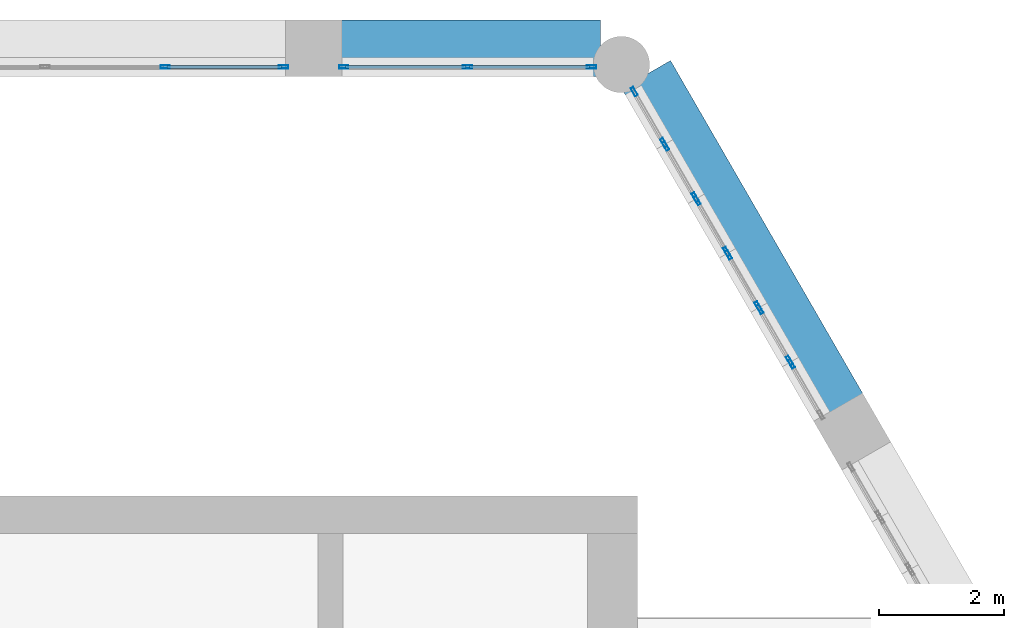
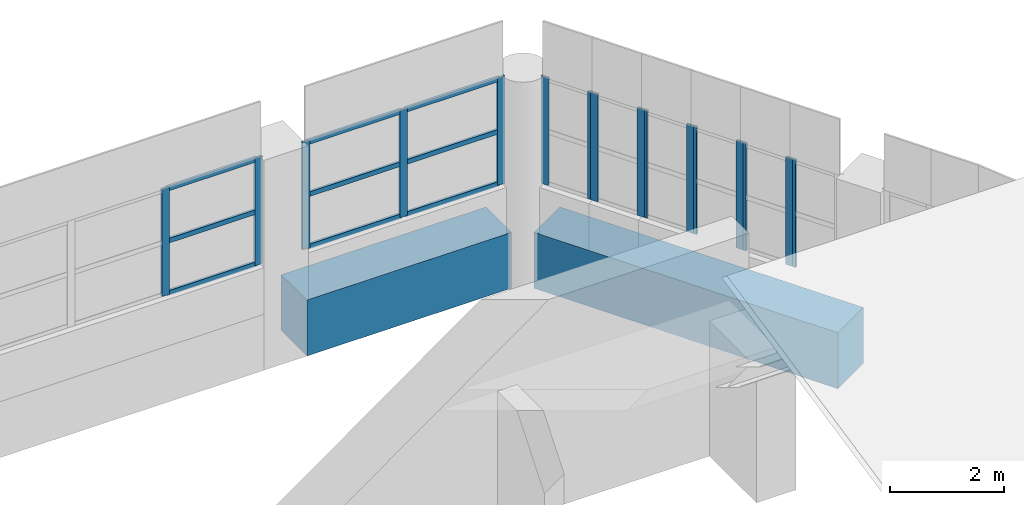
# One storey, part 7 of 11: 25 members, 2 beams, 8 elements without a shape of their own.
"""IFC4 building model written with IfcOpenShell, lengths in metres."""

from ifc_helpers import new_model, si_unit, direction, frame, origin, origin_2d, place, context, subcontext, project, spatial, rectangle, hollow_rectangle, extrude, material, material_profile, profile_set, type_object, element, aggregate, save


model = new_model("IFC4")

# Units and contexts
model_context = context("Model", 3, precision=1e-05, world=origin(), true_north=direction((0.0, 1.0)))
body_context = subcontext(model_context, "Body", "Model", "MODEL_VIEW")
ifc_project = project(units=[si_unit("LENGTHUNIT", "METRE"), si_unit("AREAUNIT", "SQUARE_METRE"), si_unit("VOLUMEUNIT", "CUBIC_METRE"), si_unit("PLANEANGLEUNIT", "RADIAN"), si_unit("MASSUNIT", "GRAM", prefix="KILO")], contexts=[model_context])

# Site, building, storey
site_placement = place(None, origin())
site = spatial("IfcSite", under=ifc_project, at=site_placement, CompositionType="ELEMENT")
building_placement = place(site_placement, origin())
building = spatial("IfcBuilding", under=site, at=building_placement, Name="Ostrander Bayou Hotel Tower", CompositionType="ELEMENT")
storey_placement = place(building_placement, frame((0.0, 0.0, 293.0)))
storey = spatial("IfcBuildingStorey", under=building, at=storey_placement, Name="Roof 72", CompositionType="ELEMENT", Elevation=293.0)

# Curtain wall, members
ifc_material_1 = material(Name="Aluminium and clear glass", Category="aluminium")
curtain_wall_type = type_object("IfcCurtainWallType", Name="CW-CROWN glazed wall", PredefinedType="NOTDEFINED", material=ifc_material_1)
curtain_wall_1_placement = place(storey_placement, origin())
curtain_wall_1 = element("IfcCurtainWall", 1, at=curtain_wall_1_placement, inside=storey, type_object=curtain_wall_type, Name="CW-CROWN L72:N-1", PredefinedType="NOTDEFINED")
ifc_material_2 = material(Name="Aluminium", Category="aluminium")
ifc_material_profile_1 = material_profile(ifc_material_2, hollow_rectangle(XDim=0.050048828125, YDim=0.14990234375, WallThickness=0.00390625, at=origin_2d()))
ifc_profile_set_1 = profile_set([ifc_material_profile_1], Name="Aluminium")
member_type_1 = type_object("IfcMemberType", Name="CW-CR mullion 50 x 150 mm", PredefinedType="MULLION", material=ifc_profile_set_1)
member_1_placement = place(storey_placement, frame((7.765869140625, 16.550048828125, 1.0), z_axis=(0.0, 0.0, 1.0), x_axis=(0.0, -1.0, 0.0)))
member_1 = element("IfcMember", 2, at=member_1_placement, type_object=member_type_1, Name="CW-CROWN mullion 1", PredefinedType="MULLION", context=body_context, shape_type="SweptSolid", body=[
    extrude(hollow_rectangle(XDim=0.050048828125, YDim=0.14990234375, WallThickness=0.00390625, at=origin_2d()), origin(), (0.0, 0.0, 1.0), 2.300048828125),
])
member_2_placement = place(storey_placement, frame((5.78759765625, 16.550048828125, 1.0), z_axis=(0.0, 0.0, 1.0), x_axis=(0.0, -1.0, 0.0)))
member_2 = element("IfcMember", 3, at=member_2_placement, type_object=member_type_1, Name="CW-CROWN mullion 2", PredefinedType="MULLION", context=body_context, shape_type="SweptSolid", body=[
    extrude(hollow_rectangle(XDim=0.050048828125, YDim=0.14990234375, WallThickness=0.00390625, at=origin_2d()), origin(), (0.0, 0.0, 1.0), 2.300048828125),
])
member_3_placement = place(storey_placement, frame((3.809326171875, 16.550048828125, 1.0), z_axis=(0.0, 0.0, 1.0), x_axis=(0.0, -1.0, 0.0)))
member_3 = element("IfcMember", 4, at=member_3_placement, type_object=member_type_1, Name="CW-CROWN mullion 3", PredefinedType="MULLION", context=body_context, shape_type="SweptSolid", body=[
    extrude(hollow_rectangle(XDim=0.050048828125, YDim=0.14990234375, WallThickness=0.00390625, at=origin_2d()), origin(), (0.0, 0.0, 1.0), 2.300048828125),
])

curtain_wall_2_placement = place(storey_placement, origin())
curtain_wall_2 = element("IfcCurtainWall", 5, at=curtain_wall_2_placement, inside=storey, type_object=curtain_wall_type, Name="CW-CROWN L72:N-2", PredefinedType="NOTDEFINED")
member_4_placement = place(storey_placement, frame((2.849365234375, 16.550048828125, 1.0), z_axis=(0.0, 0.0, 1.0), x_axis=(0.0, -1.0, 0.0)))
member_4 = element("IfcMember", 6, at=member_4_placement, type_object=member_type_1, Name="CW-CROWN mullion 1", PredefinedType="MULLION", context=body_context, shape_type="SweptSolid", body=[
    extrude(hollow_rectangle(XDim=0.050048828125, YDim=0.14990234375, WallThickness=0.00390625, at=origin_2d()), origin(), (0.0, 0.0, 1.0), 2.300048828125),
])
member_5_placement = place(storey_placement, frame((0.959716796875, 16.550048828125, 1.0), z_axis=(0.0, 0.0, 1.0), x_axis=(0.0, -1.0, 0.0)))
member_5 = element("IfcMember", 7, at=member_5_placement, type_object=member_type_1, Name="CW-CROWN mullion 2", PredefinedType="MULLION", context=body_context, shape_type="SweptSolid", body=[
    extrude(hollow_rectangle(XDim=0.050048828125, YDim=0.14990234375, WallThickness=0.00390625, at=origin_2d()), origin(), (0.0, 0.0, 1.0), 2.300048828125),
])

# Curtain wall, member
curtain_wall_3_placement = place(storey_placement, origin())
curtain_wall_3 = element("IfcCurtainWall", 8, at=curtain_wall_3_placement, inside=storey, type_object=curtain_wall_type, Name="CW-CROWN L72:NE-3-1", PredefinedType="NOTDEFINED")
member_6_placement = place(storey_placement, frame((10.954833984375, 11.8125, 1.0), z_axis=(0.0, 0.0, 1.0), x_axis=(-0.866026229865, -0.499998569184, 0.0)))
member_6 = element("IfcMember", 9, at=member_6_placement, type_object=member_type_1, Name="CW-CROWN mullion 2", PredefinedType="MULLION", context=body_context, shape_type="SweptSolid", body=[
    extrude(hollow_rectangle(XDim=0.050048828125, YDim=0.14990234375, WallThickness=0.00390625, at=origin_2d()), origin(), (0.0, 0.0, 1.0), 2.300048828125),
])
aggregate(curtain_wall_3, [member_6])

# Curtain wall, members
curtain_wall_4_placement = place(storey_placement, origin())
curtain_wall_4 = element("IfcCurtainWall", 10, at=curtain_wall_4_placement, inside=storey, type_object=curtain_wall_type, Name="CW-CROWN L72:NE-3-2", PredefinedType="NOTDEFINED")
member_7_placement = place(storey_placement, frame((10.9248046875, 11.864501953125, 1.0), z_axis=(0.0, 0.0, 1.0), x_axis=(-0.866001306597, -0.50004173523, 0.0)))
member_7 = element("IfcMember", 11, at=member_7_placement, type_object=member_type_1, Name="CW-CROWN mullion 1", PredefinedType="MULLION", context=body_context, shape_type="SweptSolid", body=[
    extrude(hollow_rectangle(XDim=0.050048828125, YDim=0.14990234375, WallThickness=0.00390625, at=origin_2d()), origin(), (0.0, 0.0, 1.0), 2.300048828125),
])
member_8_placement = place(storey_placement, frame((10.453369140625, 12.681396484375, 1.0), z_axis=(0.0, 0.0, 1.0), x_axis=(-0.866001306597, -0.50004173523, 0.0)))
member_8 = element("IfcMember", 12, at=member_8_placement, type_object=member_type_1, Name="CW-CROWN mullion 2", PredefinedType="MULLION", context=body_context, shape_type="SweptSolid", body=[
    extrude(hollow_rectangle(XDim=0.050048828125, YDim=0.14990234375, WallThickness=0.00390625, at=origin_2d()), origin(), (0.0, 0.0, 1.0), 2.300048828125),
])
aggregate(curtain_wall_4, [member_7, member_8])

curtain_wall_5_placement = place(storey_placement, origin())
curtain_wall_5 = element("IfcCurtainWall", 13, at=curtain_wall_5_placement, inside=storey, type_object=curtain_wall_type, Name="CW-CROWN L72:NE-3-3", PredefinedType="NOTDEFINED")
member_9_placement = place(storey_placement, frame((10.42333984375, 12.7333984375, 1.0), z_axis=(0.0, 0.0, 1.0), x_axis=(-0.866069391736, -0.499923802893, 0.0)))
member_9 = element("IfcMember", 14, at=member_9_placement, type_object=member_type_1, Name="CW-CROWN mullion 1", PredefinedType="MULLION", context=body_context, shape_type="SweptSolid", body=[
    extrude(hollow_rectangle(XDim=0.050048828125, YDim=0.14990234375, WallThickness=0.00390625, at=origin_2d()), origin(), (0.0, 0.0, 1.0), 2.300048828125),
])
member_10_placement = place(storey_placement, frame((9.951904296875, 13.550048828125, 1.0), z_axis=(0.0, 0.0, 1.0), x_axis=(-0.866069391736, -0.499923802893, 0.0)))
member_10 = element("IfcMember", 15, at=member_10_placement, type_object=member_type_1, Name="CW-CROWN mullion 2", PredefinedType="MULLION", context=body_context, shape_type="SweptSolid", body=[
    extrude(hollow_rectangle(XDim=0.050048828125, YDim=0.14990234375, WallThickness=0.00390625, at=origin_2d()), origin(), (0.0, 0.0, 1.0), 2.300048828125),
])
aggregate(curtain_wall_5, [member_9, member_10])

curtain_wall_6_placement = place(storey_placement, origin())
curtain_wall_6 = element("IfcCurtainWall", 16, at=curtain_wall_6_placement, inside=storey, type_object=curtain_wall_type, Name="CW-CROWN L72:NE-3-4", PredefinedType="NOTDEFINED")
member_11_placement = place(storey_placement, frame((9.921875, 13.60205078125, 1.0), z_axis=(0.0, 0.0, 1.0), x_axis=(-0.866026229865, -0.499998569184, 0.0)))
member_11 = element("IfcMember", 17, at=member_11_placement, type_object=member_type_1, Name="CW-CROWN mullion 1", PredefinedType="MULLION", context=body_context, shape_type="SweptSolid", body=[
    extrude(hollow_rectangle(XDim=0.050048828125, YDim=0.14990234375, WallThickness=0.00390625, at=origin_2d()), origin(), (0.0, 0.0, 1.0), 2.300048828125),
])
member_12_placement = place(storey_placement, frame((9.4501953125, 14.4189453125, 1.0), z_axis=(0.0, 0.0, 1.0), x_axis=(-0.866026229865, -0.499998569184, 0.0)))
member_12 = element("IfcMember", 18, at=member_12_placement, type_object=member_type_1, Name="CW-CROWN mullion 2", PredefinedType="MULLION", context=body_context, shape_type="SweptSolid", body=[
    extrude(hollow_rectangle(XDim=0.050048828125, YDim=0.14990234375, WallThickness=0.00390625, at=origin_2d()), origin(), (0.0, 0.0, 1.0), 2.300048828125),
])
aggregate(curtain_wall_6, [member_11, member_12])

curtain_wall_7_placement = place(storey_placement, origin())
curtain_wall_7 = element("IfcCurtainWall", 19, at=curtain_wall_7_placement, inside=storey, type_object=curtain_wall_type, Name="CW-CROWN L72:NE-3-5", PredefinedType="NOTDEFINED")
member_13_placement = place(storey_placement, frame((9.420166015625, 14.470947265625, 1.0), z_axis=(0.0, 0.0, 1.0), x_axis=(-0.866001306597, -0.50004173523, 0.0)))
member_13 = element("IfcMember", 20, at=member_13_placement, type_object=member_type_1, Name="CW-CROWN mullion 1", PredefinedType="MULLION", context=body_context, shape_type="SweptSolid", body=[
    extrude(hollow_rectangle(XDim=0.050048828125, YDim=0.14990234375, WallThickness=0.00390625, at=origin_2d()), origin(), (0.0, 0.0, 1.0), 2.300048828125),
])
member_14_placement = place(storey_placement, frame((8.948486328125, 15.28759765625, 1.0), z_axis=(0.0, 0.0, 1.0), x_axis=(-0.866001306597, -0.50004173523, 0.0)))
member_14 = element("IfcMember", 21, at=member_14_placement, type_object=member_type_1, Name="CW-CROWN mullion 2", PredefinedType="MULLION", context=body_context, shape_type="SweptSolid", body=[
    extrude(hollow_rectangle(XDim=0.050048828125, YDim=0.14990234375, WallThickness=0.00390625, at=origin_2d()), origin(), (0.0, 0.0, 1.0), 2.300048828125),
])
aggregate(curtain_wall_7, [member_13, member_14])

curtain_wall_8_placement = place(storey_placement, origin())
curtain_wall_8 = element("IfcCurtainWall", 22, at=curtain_wall_8_placement, inside=storey, type_object=curtain_wall_type, Name="CW-CROWN L72:NE-3-6", PredefinedType="NOTDEFINED")
member_15_placement = place(storey_placement, frame((8.918701171875, 15.339599609375, 1.0), z_axis=(0.0, 0.0, 1.0), x_axis=(-0.866026229865, -0.499998569184, 0.0)))
member_15 = element("IfcMember", 23, at=member_15_placement, type_object=member_type_1, Name="CW-CROWN mullion 1", PredefinedType="MULLION", context=body_context, shape_type="SweptSolid", body=[
    extrude(hollow_rectangle(XDim=0.050048828125, YDim=0.14990234375, WallThickness=0.00390625, at=origin_2d()), origin(), (0.0, 0.0, 1.0), 2.300048828125),
])
member_16_placement = place(storey_placement, frame((8.447021484375, 16.156494140625, 1.0), z_axis=(0.0, 0.0, 1.0), x_axis=(-0.866026229865, -0.499998569184, 0.0)))
member_16 = element("IfcMember", 24, at=member_16_placement, type_object=member_type_1, Name="CW-CROWN mullion 2", PredefinedType="MULLION", context=body_context, shape_type="SweptSolid", body=[
    extrude(hollow_rectangle(XDim=0.050048828125, YDim=0.14990234375, WallThickness=0.00390625, at=origin_2d()), origin(), (0.0, 0.0, 1.0), 2.300048828125),
])
aggregate(curtain_wall_8, [member_15, member_16])

# Member
ifc_material_3 = material(Name="Aluminium", Category="aluminium")
ifc_material_profile_2 = material_profile(ifc_material_3, hollow_rectangle(XDim=0.050048828125, YDim=0.10009765625, WallThickness=0.00390625, at=origin_2d()))
ifc_profile_set_2 = profile_set([ifc_material_profile_2], Name="Aluminium")
member_type_2 = type_object("IfcMemberType", Name="CW-CR transom 50 x 100 mm", PredefinedType="USERDEFINED", material=ifc_profile_set_2)
member_17_placement = place(storey_placement, frame((7.73583984375, 16.550048828125, 1.030029296875), z_axis=(-1.0, 0.0, 0.0), x_axis=(0.0, -1.0, 0.0)))
member_17 = element("IfcMember", 25, at=member_17_placement, type_object=member_type_2, Name="CW-CROWN transom 1.1", ObjectType="TRANSOM", PredefinedType="USERDEFINED", context=body_context, shape_type="SweptSolid", body=[
    extrude(hollow_rectangle(XDim=0.050048828125, YDim=0.10009765625, WallThickness=0.00390625, at=origin_2d()), origin(), (0.0, 0.0, 1.0), 1.918212890625),
])

member_18_placement = place(storey_placement, frame((7.73583984375, 16.550048828125, 2.14990234375), z_axis=(-1.0, 0.0, 0.0), x_axis=(0.0, -1.0, 0.0)))
member_18 = element("IfcMember", 26, at=member_18_placement, type_object=member_type_2, Name="CW-CROWN transom 1.2", ObjectType="TRANSOM", PredefinedType="USERDEFINED", context=body_context, shape_type="SweptSolid", body=[
    extrude(hollow_rectangle(XDim=0.050048828125, YDim=0.10009765625, WallThickness=0.00390625, at=origin_2d()), origin(), (0.0, 0.0, 1.0), 1.918212890625),
])

member_19_placement = place(storey_placement, frame((7.73583984375, 16.550048828125, 3.27001953125), z_axis=(-1.0, 0.0, 0.0), x_axis=(0.0, -1.0, 0.0)))
member_19 = element("IfcMember", 27, at=member_19_placement, type_object=member_type_2, Name="CW-CROWN transom 1.3", ObjectType="TRANSOM", PredefinedType="USERDEFINED", context=body_context, shape_type="SweptSolid", body=[
    extrude(hollow_rectangle(XDim=0.050048828125, YDim=0.10009765625, WallThickness=0.00390625, at=origin_2d()), origin(), (0.0, 0.0, 1.0), 1.918212890625),
])

member_20_placement = place(storey_placement, frame((5.757568359375, 16.550048828125, 1.030029296875), z_axis=(-1.0, 0.0, 0.0), x_axis=(0.0, -1.0, 0.0)))
member_20 = element("IfcMember", 28, at=member_20_placement, type_object=member_type_2, Name="CW-CROWN transom 2.1", ObjectType="TRANSOM", PredefinedType="USERDEFINED", context=body_context, shape_type="SweptSolid", body=[
    extrude(hollow_rectangle(XDim=0.050048828125, YDim=0.10009765625, WallThickness=0.00390625, at=origin_2d()), origin(), (0.0, 0.0, 1.0), 1.918212890625),
])

member_21_placement = place(storey_placement, frame((5.757568359375, 16.550048828125, 2.14990234375), z_axis=(-1.0, 0.0, 0.0), x_axis=(0.0, -1.0, 0.0)))
member_21 = element("IfcMember", 29, at=member_21_placement, type_object=member_type_2, Name="CW-CROWN transom 2.2", ObjectType="TRANSOM", PredefinedType="USERDEFINED", context=body_context, shape_type="SweptSolid", body=[
    extrude(hollow_rectangle(XDim=0.050048828125, YDim=0.10009765625, WallThickness=0.00390625, at=origin_2d()), origin(), (0.0, 0.0, 1.0), 1.918212890625),
])

member_22_placement = place(storey_placement, frame((5.757568359375, 16.550048828125, 3.27001953125), z_axis=(-1.0, 0.0, 0.0), x_axis=(0.0, -1.0, 0.0)))
member_22 = element("IfcMember", 30, at=member_22_placement, type_object=member_type_2, Name="CW-CROWN transom 2.3", ObjectType="TRANSOM", PredefinedType="USERDEFINED", context=body_context, shape_type="SweptSolid", body=[
    extrude(hollow_rectangle(XDim=0.050048828125, YDim=0.10009765625, WallThickness=0.00390625, at=origin_2d()), origin(), (0.0, 0.0, 1.0), 1.918212890625),
])

aggregate(curtain_wall_1, [member_1, member_2, member_3, member_17, member_18, member_19, member_20, member_21, member_22])

member_23_placement = place(storey_placement, frame((2.8193359375, 16.550048828125, 1.030029296875), z_axis=(-1.0, 0.0, 0.0), x_axis=(0.0, -1.0, 0.0)))
member_23 = element("IfcMember", 31, at=member_23_placement, type_object=member_type_2, Name="CW-CROWN transom 1.1", ObjectType="TRANSOM", PredefinedType="USERDEFINED", context=body_context, shape_type="SweptSolid", body=[
    extrude(hollow_rectangle(XDim=0.050048828125, YDim=0.10009765625, WallThickness=0.00390625, at=origin_2d()), origin(), (0.0, 0.0, 1.0), 1.82958984375),
])

member_24_placement = place(storey_placement, frame((2.8193359375, 16.550048828125, 2.14990234375), z_axis=(-1.0, 0.0, 0.0), x_axis=(0.0, -1.0, 0.0)))
member_24 = element("IfcMember", 32, at=member_24_placement, type_object=member_type_2, Name="CW-CROWN transom 1.2", ObjectType="TRANSOM", PredefinedType="USERDEFINED", context=body_context, shape_type="SweptSolid", body=[
    extrude(hollow_rectangle(XDim=0.050048828125, YDim=0.10009765625, WallThickness=0.00390625, at=origin_2d()), origin(), (0.0, 0.0, 1.0), 1.82958984375),
])

member_25_placement = place(storey_placement, frame((2.8193359375, 16.550048828125, 3.27001953125), z_axis=(-1.0, 0.0, 0.0), x_axis=(0.0, -1.0, 0.0)))
member_25 = element("IfcMember", 33, at=member_25_placement, type_object=member_type_2, Name="CW-CROWN transom 1.3", ObjectType="TRANSOM", PredefinedType="USERDEFINED", context=body_context, shape_type="SweptSolid", body=[
    extrude(hollow_rectangle(XDim=0.050048828125, YDim=0.10009765625, WallThickness=0.00390625, at=origin_2d()), origin(), (0.0, 0.0, 1.0), 1.82958984375),
])

aggregate(curtain_wall_2, [member_4, member_5, member_23, member_24, member_25])

# Beams
ifc_material_4 = material(Name="Concrete f'c 60 MPa", Category="concrete")
ifc_material_profile_3 = material_profile(ifc_material_4, rectangle(XDim=0.89990234375, YDim=1.199951171875, at=origin_2d()))
ifc_profile_set_3 = profile_set([ifc_material_profile_3], Name="Concrete f'c 60 MPa")
beam_type = type_object("IfcBeamType", Name="SP4 spandrel beam 900 x 1200 mm f'c 60 MPa", PredefinedType="SPANDREL", material=ifc_profile_set_3)
beam_1_placement = place(storey_placement, frame((7.90576171875, 16.85009765625, -0.60009765625), z_axis=(-1.0, 0.0, 0.0), x_axis=(0.0, -1.0, 0.0)))
element("IfcBeam", 34, at=beam_1_placement, inside=storey, type_object=beam_type, Name="SP4 L72 N-1", PredefinedType="SPANDREL", context=body_context, shape_type="SweptSolid", body=[
    extrude(rectangle(XDim=0.89990234375, YDim=1.199951171875, at=origin_2d()), origin(), (0.0, 0.0, 1.0), 4.15625),
])
beam_2_placement = place(storey_placement, frame((11.71630859375, 11.09375, -0.60009765625), z_axis=(-0.499984362083, 0.866034432152, 0.0), x_axis=(-0.866034432152, -0.499984362083, 0.0)))
element("IfcBeam", 35, at=beam_2_placement, inside=storey, type_object=beam_type, Name="SP4 L72 NE-3", PredefinedType="SPANDREL", context=body_context, shape_type="SweptSolid", body=[
    extrude(rectangle(XDim=0.89990234375, YDim=1.199951171875, at=origin_2d()), origin(), (0.0, 0.0, 1.0), 6.159423828125),
])

save(model, "model.ifc")
